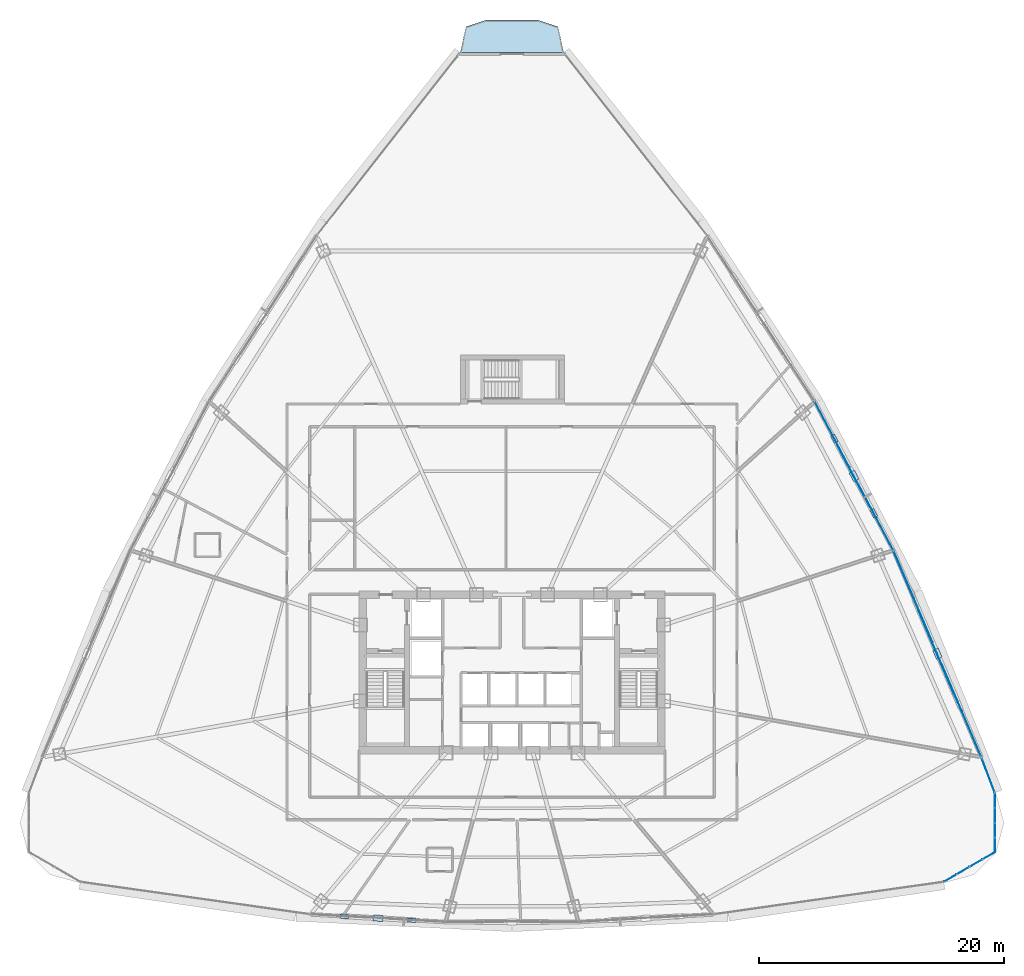
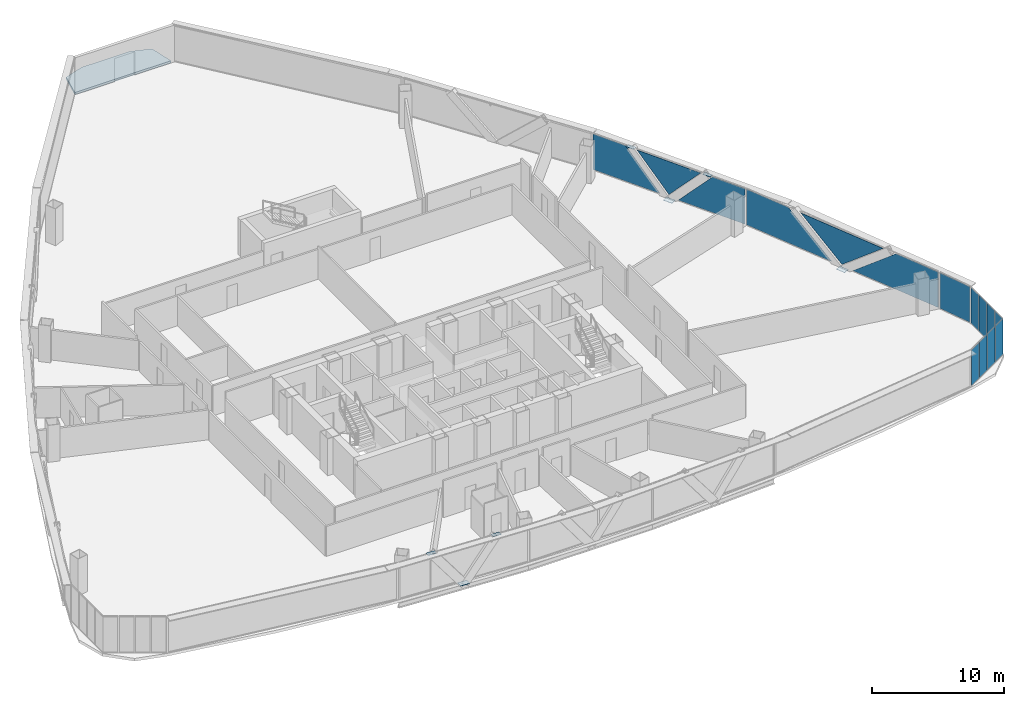
# One storey, part 33 of 42: 22 plates, 1 slab, 5 elements without a shape of their own.
"""IFC4 building model written with IfcOpenShell, lengths in metres."""

from ifc_helpers import new_model, si_unit, direction, frame, origin, origin_2d, place, context, subcontext, project, spatial, polyline, rectangle, outline, extrude, source, transform, mapped, material, layer, layer_set, type_object, element, aggregate, save


model = new_model("IFC4")

# Units and contexts
model_context = context("Model", 3, precision=1e-05, world=origin(), true_north=direction((0.0, 1.0)))
body_context = subcontext(model_context, "Body", "Model", "MODEL_VIEW")
ifc_project = project(units=[si_unit("LENGTHUNIT", "METRE"), si_unit("AREAUNIT", "SQUARE_METRE"), si_unit("VOLUMEUNIT", "CUBIC_METRE"), si_unit("PLANEANGLEUNIT", "RADIAN"), si_unit("MASSUNIT", "GRAM", prefix="KILO"), si_unit("THERMODYNAMICTEMPERATUREUNIT", "KELVIN"), si_unit("POWERUNIT", "WATT")], contexts=[model_context])

# Site, building, storey
site_placement = place(None, origin())
site = spatial("IfcSite", under=ifc_project, at=site_placement, CompositionType="ELEMENT")
building_placement = place(site_placement, origin())
building = spatial("IfcBuilding", under=site, at=building_placement, Name="Yunzhuo Pagoda Commons", CompositionType="ELEMENT")
storey_placement = place(building_placement, frame((0.0, 0.0, 151.909912109375)))
storey = spatial("IfcBuildingStorey", under=building, at=storey_placement, Name="L38", CompositionType="ELEMENT", Elevation=151.909912109375)

# Curtain wall, plates
ifc_material_1 = material(Name="Anodized aluminium 6063-T6", Category="aluminium")
ifc_layer_1 = layer(ifc_material_1, 0.14990234375)
ifc_layer_set_1 = layer_set([ifc_layer_1], Name="Anodized aluminium 6063-T6")
curtain_wall_type_1 = type_object("IfcCurtainWallType", Name="CW-MID Mid-Zone Ribbon Curtain Wall", PredefinedType="NOTDEFINED", material=ifc_layer_set_1)
curtain_wall_1_placement = place(storey_placement, origin())
curtain_wall_1 = element("IfcCurtainWall", 1, at=curtain_wall_1_placement, inside=storey, type_object=curtain_wall_type_1, Name="L38 curtain wall CW-L38-F2B2", PredefinedType="NOTDEFINED")
ifc_material_2 = material(Name="Tempered low-e double glazing", Category="glass")
ifc_layer_2 = layer(ifc_material_2, 0.028076171875)
ifc_layer_set_2 = layer_set([ifc_layer_2], Name="Tempered low-e double glazing")
plate_type_1 = type_object("IfcPlateType", Name="CW-MID-P Low-E Double Glazing 28", PredefinedType="CURTAIN_PANEL", material=ifc_layer_set_2)
plate_1_placement = place(storey_placement, frame((84.744384765625, 30.720458984375, 1.710205078125), z_axis=(0.92021678471, 0.391409081572, 0.0), x_axis=(-0.391409081572, 0.92021678471, 0.0)))
plate_1 = element("IfcPlate", 2, at=plate_1_placement, type_object=plate_type_1, Name="CW panel 1.1 lite 1", PredefinedType="CURTAIN_PANEL", context=body_context, shape_type="SweptSolid", body=[
    extrude(outline(polyline([(-4.060302734375, -1.655029296875), (4.060302734375, -1.655029296875), (-0.068603515625, 1.655029296875), (-4.060302734375, 1.655029296875), (-4.060302734375, -1.655029296875)])), origin(), (0.0, 0.0, 1.0), 0.028076171875),
])
plate_2_placement = place(storey_placement, frame((82.73583984375, 35.36572265625, 1.796142578125), z_axis=(0.92021678471, 0.391409081572, 0.0), x_axis=(-0.391409081572, 0.92021678471, 0.0)))
plate_2 = element("IfcPlate", 3, at=plate_2_placement, type_object=plate_type_1, Name="CW panel 1.1 lite 2", PredefinedType="CURTAIN_PANEL", context=body_context, shape_type="SweptSolid", body=[
    extrude(outline(polyline([(-3.91455078125, 1.569091796875), (0.0, -1.569091796875), (3.91455078125, 1.569091796875), (-3.91455078125, 1.569091796875)])), origin(), (0.0, 0.0, 1.0), 0.028076171875),
])
plate_3_placement = place(storey_placement, frame((80.78271484375, 40.03466796875, 1.710205078125), z_axis=(0.92021678471, 0.391409081572, 0.0), x_axis=(-0.391409081572, 0.92021678471, 0.0)))
plate_3 = element("IfcPlate", 4, at=plate_3_placement, type_object=plate_type_1, Name="CW panel 1.1 lite 3", PredefinedType="CURTAIN_PANEL", context=body_context, shape_type="SweptSolid", body=[
    extrude(outline(polyline([(-4.060302734375, -1.655029296875), (4.060302734375, -1.655029296875), (4.060302734375, 1.655029296875), (0.068603515625, 1.655029296875), (-4.060302734375, -1.655029296875)])), origin(), (0.0, 0.0, 1.0), 0.028076171875),
])
aggregate(curtain_wall_1, [plate_1, plate_2, plate_3])

curtain_wall_2_placement = place(storey_placement, origin())
curtain_wall_2 = element("IfcCurtainWall", 5, at=curtain_wall_2_placement, inside=storey, type_object=curtain_wall_type_1, Name="L38 curtain wall CW-L38-F2B3", PredefinedType="NOTDEFINED")
plate_4_placement = place(storey_placement, frame((77.73974609375, 46.531494140625, 1.710205078125), z_axis=(0.884068631112, 0.467357096324, 0.0), x_axis=(-0.467357096324, 0.884068631112, 0.0)))
plate_4 = element("IfcPlate", 6, at=plate_4_placement, type_object=plate_type_1, Name="CW panel 1.1 lite 1", PredefinedType="CURTAIN_PANEL", context=body_context, shape_type="SweptSolid", body=[
    extrude(outline(polyline([(-3.0009765625, -1.655029296875), (3.0009765625, -1.655029296875), (-0.091552734375, 1.655029296875), (-3.0009765625, 1.655029296875), (-3.0009765625, -1.655029296875)])), origin(), (0.0, 0.0, 1.0), 0.028076171875),
])
plate_5_placement = place(storey_placement, frame((75.93017578125, 49.890380859375, 1.830810546875), z_axis=(0.884068631112, 0.467357096324, 0.0), x_axis=(-0.467357096324, 0.884068631112, 0.0)))
plate_5 = element("IfcPlate", 7, at=plate_5_placement, type_object=plate_type_1, Name="CW panel 1.1 lite 2", PredefinedType="CURTAIN_PANEL", context=body_context, shape_type="SweptSolid", body=[
    extrude(outline(polyline([(-2.86669921875, 1.5341796875), (0.0, -1.5341796875), (2.86669921875, 1.5341796875), (-2.86669921875, 1.5341796875)])), origin(), (0.0, 0.0, 1.0), 0.028076171875),
])
plate_6_placement = place(storey_placement, frame((74.173583984375, 53.27734375, 1.710205078125), z_axis=(0.884068631112, 0.467357096324, 0.0), x_axis=(-0.467357096324, 0.884068631112, 0.0)))
plate_6 = element("IfcPlate", 8, at=plate_6_placement, type_object=plate_type_1, Name="CW panel 1.1 lite 3", PredefinedType="CURTAIN_PANEL", context=body_context, shape_type="SweptSolid", body=[
    extrude(outline(polyline([(-3.0009765625, -1.655029296875), (3.0009765625, -1.655029296875), (3.0009765625, 1.655029296875), (0.091552734375, 1.655029296875), (-3.0009765625, -1.655029296875)])), origin(), (0.0, 0.0, 1.0), 0.028076171875),
])
aggregate(curtain_wall_2, [plate_4, plate_5, plate_6])

# Slab
ifc_material_3 = material(Name="Concrete C40", Category="concrete")
ifc_layer_3 = layer(ifc_material_3, 0.199951171875)
ifc_layer_set_3 = layer_set([ifc_layer_3], Name="Concrete C40")
slab_type = type_object("IfcSlabType", Name="SL-BAL Vertex Balcony Deck Slab 200", PredefinedType="FLOOR", material=ifc_layer_set_3)
slab_placement = place(storey_placement, frame((0.0, 0.0, -0.199951171875)))
element("IfcSlab", 9, at=slab_placement, inside=storey, type_object=slab_type, Name="L38 corner balcony V3", PredefinedType="FLOOR", context=body_context, shape_type="SweptSolid", body=[
    extrude(outline(polyline([(52.220703125, 84.548095703125), (43.779296875, 84.548095703125), (44.229248046875, 86.64306640625), (45.8896484375, 87.193115234375), (50.1103515625, 87.193115234375), (51.770751953125, 86.64306640625), (52.220703125, 84.548095703125)])), origin(), (0.0, 0.0, 1.0), 0.199951171875),
])

# Plates
ifc_material_4 = material(Name="Structural steel Q355B", Category="steel")
ifc_layer_4 = layer(ifc_material_4, 0.028076171875)
ifc_layer_set_4 = layer_set([ifc_layer_4], Name="Structural steel Q355B")
plate_type_2 = type_object("IfcPlateType", Name="SP-ND1 Lattice Node Cap Plate 800x500x28", PredefinedType="USERDEFINED", material=ifc_layer_set_4)
shared_shape_1 = source(origin(), body_context, "Body", "SweptSolid", [
    extrude(rectangle(XDim=0.800048828125, YDim=0.5, at=origin_2d()), origin(), (0.0, 0.0, 1.0), 0.028076171875),
])
for number, where, z_axis, x_axis, name in (
    (10, (37.0498046875, 13.756103515625, -0.27392578125), (0.0, 0.0, 1.0), (0.998404508044, -0.056466258222, 0.0), "L38 diamond node plate F1.1A"),
    (11, (82.7763671875, 35.383056640625, -0.27392578125), (0.0, 0.0, 1.0), (-0.39140578875, 0.920218185287, 0.0), "L38 diamond node plate F2.1A"),
    (12, (75.968994140625, 49.910888671875, -0.27392578125), (0.0, 0.0, 1.0), (-0.46735900579, 0.884067621682, 0.0), "L38 diamond node plate F2.2A"),
):
    element("IfcPlate", number, at=place(storey_placement, frame(where, z_axis=z_axis, x_axis=x_axis)), inside=storey, type_object=plate_type_2, Name=name, ObjectType="STIFFENER_PLATE", PredefinedType="USERDEFINED", context=body_context, shape_type="MappedRepresentation", body=[
        mapped(shared_shape_1, transform((0.0, 0.0, 0.0), scale=1.0)),
    ])
shared_shape_2 = source(origin(), body_context, "Body", "SweptSolid", [
    extrude(rectangle(XDim=0.699951171875, YDim=0.35009765625, at=origin_2d()), origin(), (0.0, 0.0, 1.0), 0.035888671875),
])
for number, where, z_axis, x_axis, name in (
    (13, (34.28857421875, 13.912353515625, 3.38232421875), (0.0, 0.0, 1.0), (0.998404508044, -0.056466258222, 0.0), "L38 setback lattice tie plate F1.1L"),
    (14, (39.81103515625, 13.60009765625, 3.38232421875), (0.0, 0.0, 1.0), (0.998404508044, -0.056466258222, 0.0), "L38 setback lattice tie plate F1.1R"),
    (15, (77.575927734375, 46.871337890625, 3.38232421875), (0.0, 0.0, 1.0), (-0.46735900579, 0.884067621682, 0.0), "L38 setback lattice tie plate F2.2L"),
    (16, (74.3623046875, 52.950439453125, 3.38232421875), (0.0, 0.0, 1.0), (-0.46735900579, 0.884067621682, 0.0), "L38 setback lattice tie plate F2.2R"),
):
    element("IfcPlate", number, at=place(storey_placement, frame(where, z_axis=z_axis, x_axis=x_axis)), inside=storey, type_object=plate_type_2, Name=name, ObjectType="STIFFENER_PLATE", PredefinedType="USERDEFINED", context=body_context, shape_type="MappedRepresentation", body=[
        mapped(shared_shape_2, transform((0.0, 0.0, 0.0), scale=1.0)),
    ])

# Curtain wall, plate
curtain_wall_3_placement = place(storey_placement, origin())
curtain_wall_3 = element("IfcCurtainWall", 17, at=curtain_wall_3_placement, inside=storey, type_object=curtain_wall_type_1, Name="L38 curtain wall CW-L38-F2B1", PredefinedType="NOTDEFINED")
shared_shape_3 = source(origin(), body_context, "Body", "SweptSolid", [
    extrude(rectangle(XDim=2.937255859375, YDim=0.028076171875, at=origin_2d()), origin(), (0.0, 0.0, 1.0), 3.31005859375),
])
plate_7_placement = place(storey_placement, frame((86.937744140625, 25.4345703125, 0.05517578125), z_axis=(0.0, 0.0, 1.0), x_axis=(-0.35399648846, 0.935246751482, 0.0)))
plate_7 = element("IfcPlate", 18, at=plate_7_placement, type_object=plate_type_1, Name="CW panel 1.1", PredefinedType="CURTAIN_PANEL", context=body_context, shape_type="MappedRepresentation", body=[
    mapped(shared_shape_3, transform((0.0, 0.0, 0.0), scale=1.0)),
])
aggregate(curtain_wall_3, [plate_7])

# Curtain wall, plates
ifc_layer_5 = layer(ifc_material_1, 0.1298828125)
ifc_layer_set_5 = layer_set([ifc_layer_5], Name="Anodized aluminium 6063-T6")
curtain_wall_type_2 = type_object("IfcCurtainWallType", Name="CW-VTX Rounded Corner Curtain Wall", PredefinedType="NOTDEFINED", material=ifc_layer_set_5)
curtain_wall_4_placement = place(storey_placement, origin())
curtain_wall_4 = element("IfcCurtainWall", 19, at=curtain_wall_4_placement, inside=storey, type_object=curtain_wall_type_2, Name="L38 curtain wall CW-L38-VTX2S1", PredefinedType="NOTDEFINED")
ifc_layer_6 = layer(ifc_material_2, 0.02587890625)
ifc_layer_set_6 = layer_set([ifc_layer_6], Name="Tempered low-e double glazing")
plate_type_3 = type_object("IfcPlateType", Name="CW-VTX-P Low-E Double Glazing 26", PredefinedType="CURTAIN_PANEL", material=ifc_layer_set_6)
shared_shape_4 = source(origin(), body_context, "Body", "SweptSolid", [
    extrude(rectangle(XDim=1.141845703125, YDim=0.028076171875, at=origin_2d()), origin(), (0.0, 0.0, 1.0), 3.31005859375),
])
plate_8_placement = place(storey_placement, frame((83.83984375, 17.03662109375, 0.05517578125), z_axis=(0.0, 0.0, 1.0), x_axis=(0.865427217457, 0.501034660762, 0.0)))
plate_8 = element("IfcPlate", 20, at=plate_8_placement, type_object=plate_type_3, Name="CW panel 1.1", PredefinedType="CURTAIN_PANEL", context=body_context, shape_type="MappedRepresentation", body=[
    mapped(shared_shape_4, transform((0.0, 0.0, 0.0), scale=1.0)),
])
plate_9_placement = place(storey_placement, frame((86.994873046875, 18.86328125, 0.05517578125), z_axis=(0.0, 0.0, 1.0), x_axis=(0.865427217457, 0.501034660762, 0.0)))
plate_9 = element("IfcPlate", 21, at=plate_9_placement, type_object=plate_type_3, Name="CW panel 4.1", PredefinedType="CURTAIN_PANEL", context=body_context, shape_type="MappedRepresentation", body=[
    mapped(shared_shape_4, transform((0.0, 0.0, 0.0), scale=1.0)),
])

curtain_wall_5_placement = place(storey_placement, origin())
curtain_wall_5 = element("IfcCurtainWall", 22, at=curtain_wall_5_placement, inside=storey, type_object=curtain_wall_type_2, Name="L38 curtain wall CW-L38-VTX2S2", PredefinedType="NOTDEFINED")
plate_10_placement = place(storey_placement, frame((87.494384765625, 19.7333984375, 0.05517578125), z_axis=(0.0, 0.0, 1.0), x_axis=(-0.00359372042, 0.999993542566, 0.0)))
plate_10 = element("IfcPlate", 23, at=plate_10_placement, type_object=plate_type_3, Name="CW panel 1.1", PredefinedType="CURTAIN_PANEL", context=body_context, shape_type="MappedRepresentation", body=[
    mapped(shared_shape_4, transform((0.0, 0.0, 0.0), scale=1.0)),
])
plate_11_placement = place(storey_placement, frame((87.481201171875, 23.37890625, 0.05517578125), z_axis=(0.0, 0.0, 1.0), x_axis=(-0.00359372042, 0.999993542566, 0.0)))
plate_11 = element("IfcPlate", 24, at=plate_11_placement, type_object=plate_type_3, Name="CW panel 4.1", PredefinedType="CURTAIN_PANEL", context=body_context, shape_type="MappedRepresentation", body=[
    mapped(shared_shape_4, transform((0.0, 0.0, 0.0), scale=1.0)),
])

# Plate
shared_shape_5 = source(origin(), body_context, "Body", "SweptSolid", [
    extrude(rectangle(XDim=1.16943359375, YDim=0.028076171875, at=origin_2d()), origin(), (0.0, 0.0, 1.0), 3.31005859375),
])
plate_12_placement = place(storey_placement, frame((84.887451171875, 17.643310546875, 0.05517578125), z_axis=(0.0, 0.0, 1.0), x_axis=(0.865427217457, 0.501034660762, 0.0)))
plate_12 = element("IfcPlate", 25, at=plate_12_placement, type_object=plate_type_3, Name="CW panel 2.1", PredefinedType="CURTAIN_PANEL", context=body_context, shape_type="MappedRepresentation", body=[
    mapped(shared_shape_5, transform((0.0, 0.0, 0.0), scale=1.0)),
])

plate_13_placement = place(storey_placement, frame((85.947021484375, 18.2568359375, 0.05517578125), z_axis=(0.0, 0.0, 1.0), x_axis=(0.865427217457, 0.501034660762, 0.0)))
plate_13 = element("IfcPlate", 26, at=plate_13_placement, type_object=plate_type_3, Name="CW panel 3.1", PredefinedType="CURTAIN_PANEL", context=body_context, shape_type="MappedRepresentation", body=[
    mapped(shared_shape_5, transform((0.0, 0.0, 0.0), scale=1.0)),
])

aggregate(curtain_wall_4, [plate_8, plate_12, plate_13, plate_9])

plate_14_placement = place(storey_placement, frame((87.489990234375, 20.94384765625, 0.05517578125), z_axis=(0.0, 0.0, 1.0), x_axis=(-0.00359372042, 0.999993542566, 0.0)))
plate_14 = element("IfcPlate", 27, at=plate_14_placement, type_object=plate_type_3, Name="CW panel 2.1", PredefinedType="CURTAIN_PANEL", context=body_context, shape_type="MappedRepresentation", body=[
    mapped(shared_shape_5, transform((0.0, 0.0, 0.0), scale=1.0)),
])

plate_15_placement = place(storey_placement, frame((87.485595703125, 22.168212890625, 0.05517578125), z_axis=(0.0, 0.0, 1.0), x_axis=(-0.00359372042, 0.999993542566, 0.0)))
plate_15 = element("IfcPlate", 28, at=plate_15_placement, type_object=plate_type_3, Name="CW panel 3.1", PredefinedType="CURTAIN_PANEL", context=body_context, shape_type="MappedRepresentation", body=[
    mapped(shared_shape_5, transform((0.0, 0.0, 0.0), scale=1.0)),
])

aggregate(curtain_wall_5, [plate_10, plate_14, plate_15, plate_11])

save(model, "model.ifc")
